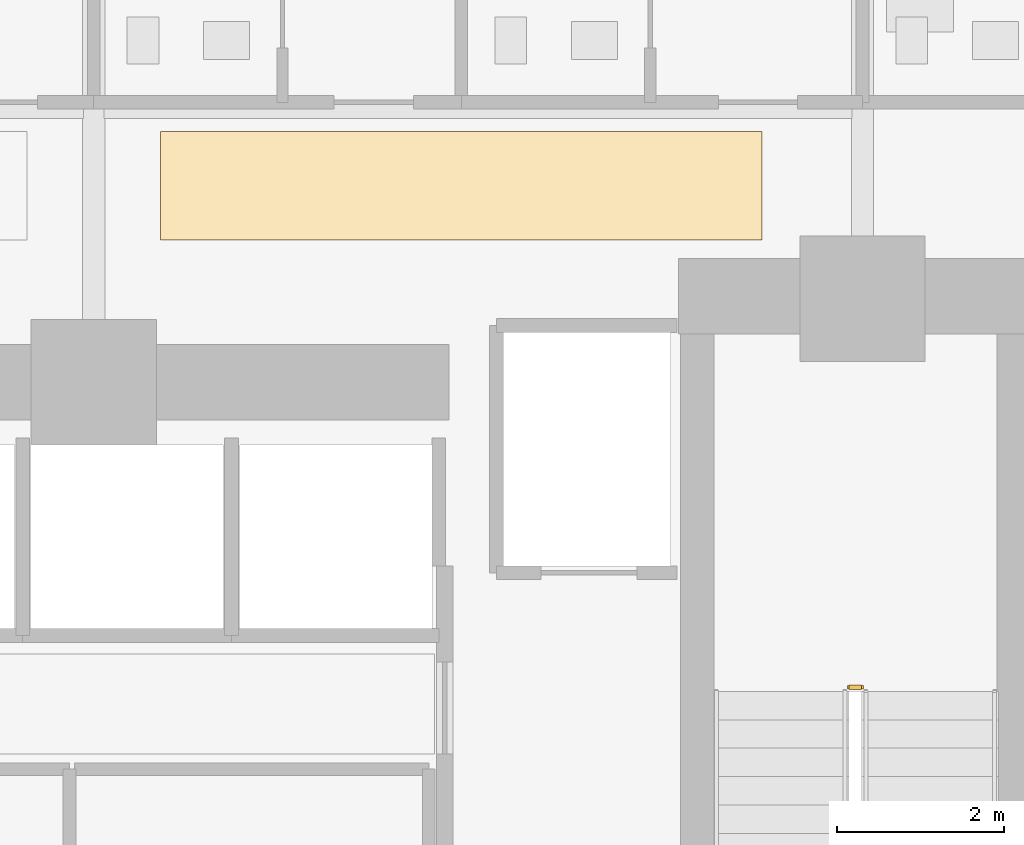
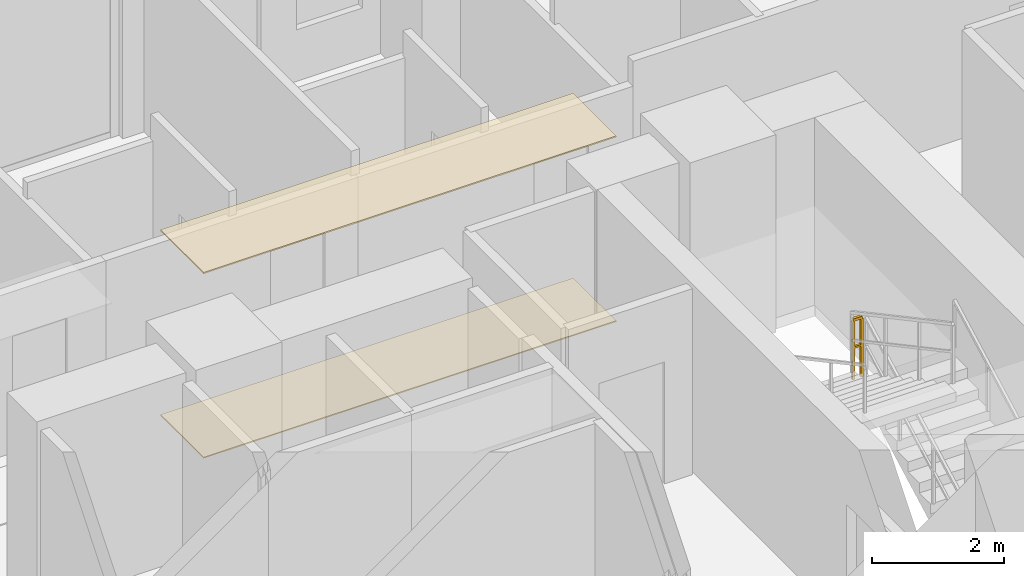
# One storey, part 28 of 29: 2 coverings, 1 railing.
"""IFC4 building model written with IfcOpenShell, lengths in metres."""

from ifc_helpers import new_model, si_unit, direction, frame, origin, origin_2d, place, context, subcontext, project, spatial, polyline, rectangle, outline, extrude, material, layer, layer_set, type_object, element, save


model = new_model("IFC4")

# Units and contexts
model_context = context("Model", 3, precision=1e-05, world=origin(), true_north=direction((0.0, 1.0)))
body_context = subcontext(model_context, "Body", "Model", "MODEL_VIEW")
ifc_project = project(units=[si_unit("LENGTHUNIT", "METRE"), si_unit("AREAUNIT", "SQUARE_METRE"), si_unit("VOLUMEUNIT", "CUBIC_METRE"), si_unit("PLANEANGLEUNIT", "RADIAN"), si_unit("MASSUNIT", "GRAM", prefix="KILO")], contexts=[model_context])

# Site, building, storey
site_placement = place(None, origin())
site = spatial("IfcSite", under=ifc_project, at=site_placement, CompositionType="ELEMENT")
building_placement = place(site_placement, origin())
building = spatial("IfcBuilding", under=site, at=building_placement, Name="Zuhayl Quay Hotel", CompositionType="ELEMENT")
storey_placement = place(building_placement, frame((0.0, 0.0, 60.449951171875)))
storey = spatial("IfcBuildingStorey", under=building, at=storey_placement, Name="L14", CompositionType="ELEMENT", Elevation=60.449951171875)

# Coverings
ifc_material_1 = material(Name="Acoustic Mineral-Fibre Gypsum Board")
ifc_layer_1 = layer(ifc_material_1, 0.02490234375, Name="Acoustic Mineral-Fibre Gypsum Board")
ifc_layer_set_1 = layer_set([ifc_layer_1], Name="Acoustic Mineral-Fibre Gypsum Board")
covering_type_1 = type_object("IfcCoveringType", Name="CV_CEIL_ACOUSTIC", PredefinedType="CEILING", material=ifc_layer_set_1)
covering_1_placement = place(storey_placement, frame((0.0, 0.0, 3.405029296875)))
element("IfcCovering", 1, at=covering_1_placement, inside=storey, type_object=covering_type_1, Name="L14 Guest Corridor Acoustic Ceiling CE", PredefinedType="CEILING", context=body_context, shape_type="SweptSolid", body=[
    extrude(outline(polyline([(5.39990234375, 15.050048828125), (12.60009765625, 15.050048828125), (12.60009765625, 16.35009765625), (5.39990234375, 16.35009765625), (5.39990234375, 15.050048828125)])), origin(), (0.0, 0.0, 1.0), 0.02490234375),
])
ifc_material_2 = material(Name="Polished Limestone Terrazzo", Category="masonry")
ifc_layer_2 = layer(ifc_material_2, 0.02001953125, Name="Polished Limestone Terrazzo", Category="masonry")
ifc_layer_set_2 = layer_set([ifc_layer_2], Name="Polished Limestone Terrazzo")
covering_type_2 = type_object("IfcCoveringType", Name="CV_FLOOR_TERRAZZO", PredefinedType="FLOORING", material=ifc_layer_set_2)
covering_2_placement = place(storey_placement, origin())
element("IfcCovering", 2, at=covering_2_placement, inside=storey, type_object=covering_type_2, Name="L14 Guest Corridor Terrazzo Runner CE", PredefinedType="FLOORING", context=body_context, shape_type="SweptSolid", body=[
    extrude(outline(polyline([(5.39990234375, 15.050048828125), (12.60009765625, 15.050048828125), (12.60009765625, 16.35009765625), (5.39990234375, 16.35009765625), (5.39990234375, 15.050048828125)])), origin(), (0.0, 0.0, 1.0), 0.02001953125),
])

# Railing
ifc_material_3 = material(Name="Steel ASTM A992 Grade 50", Category="steel")
railing_type = type_object("IfcRailingType", Name="RL_GUARD_1100", PredefinedType="GUARDRAIL", material=ifc_material_3)
railing_placement = place(storey_placement, frame((13.7900390625, 9.699951171875, 1.824951171875)))
element("IfcRailing", 3, at=railing_placement, inside=storey, type_object=railing_type, Name="L14 ST2 stair guard 2", PredefinedType="GUARDRAIL", context=body_context, shape_type="SweptSolid", body=[
    extrude(rectangle(XDim=0.048095703125, YDim=0.048095703125, at=origin_2d()), frame((0.0, 0.0, 1.09619140625), z_axis=(-1.0, 0.0, 0.0), x_axis=(0.0, -1.0, 0.0)), (0.0, 0.0, 1.0), 0.150146484375),
    extrude(rectangle(XDim=0.0361328125, YDim=0.0361328125, at=origin_2d()), frame((0.0, 0.0, 0.58251953125), z_axis=(-1.0, 0.0, 0.0), x_axis=(0.0, -1.0, 0.0)), (0.0, 0.0, 1.0), 0.150146484375),
    extrude(rectangle(XDim=0.0419921875, YDim=0.0419921875, at=origin_2d()), origin(), (0.0, 0.0, 1.0), 1.072021484375),
    extrude(rectangle(XDim=0.0419921875, YDim=0.0419921875, at=origin_2d()), frame((-0.150146484375, 0.0, 0.0)), (0.0, 0.0, 1.0), 1.072021484375),
])

save(model, "model.ifc")
